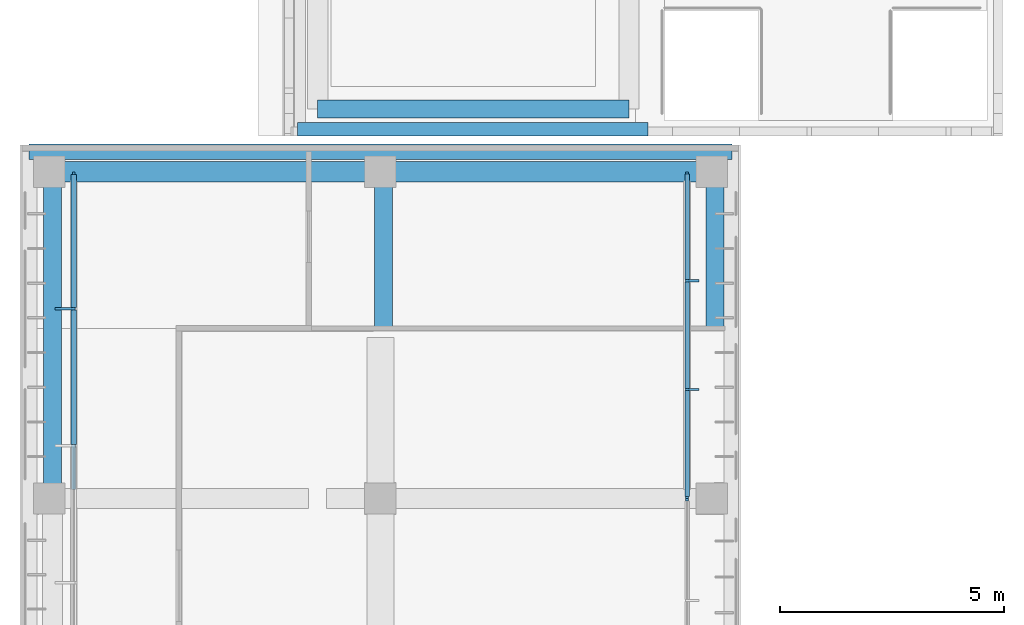
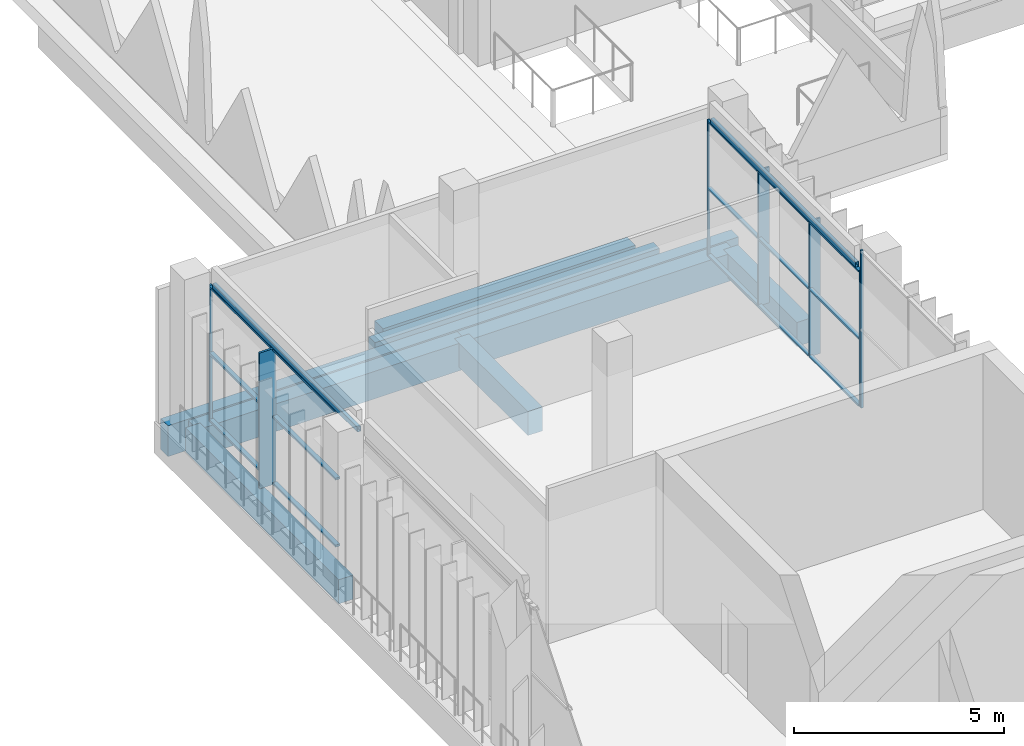
# One storey, part 15 of 46: 22 members, 10 beams, 3 elements without a shape of their own.
"""IFC4 building model written with IfcOpenShell, lengths in metres."""

from ifc_helpers import new_model, si_unit, direction, frame, origin, origin_2d, place, context, subcontext, project, spatial, rectangle, hollow_rectangle, extrude, material, material_profile, profile_set, type_object, element, aggregate, save


model = new_model("IFC4")

# Units and contexts
model_context = context("Model", 3, precision=1e-05, world=origin(), true_north=direction((0.0, 1.0)))
body_context = subcontext(model_context, "Body", "Model", "MODEL_VIEW")
ifc_project = project(units=[si_unit("LENGTHUNIT", "METRE"), si_unit("AREAUNIT", "SQUARE_METRE"), si_unit("VOLUMEUNIT", "CUBIC_METRE"), si_unit("PLANEANGLEUNIT", "RADIAN"), si_unit("MASSUNIT", "GRAM", prefix="KILO")], contexts=[model_context])

# Site, building, storey
site_placement = place(None, origin())
site = spatial("IfcSite", under=ifc_project, at=site_placement, CompositionType="ELEMENT")
building_placement = place(site_placement, origin())
building = spatial("IfcBuilding", under=site, at=building_placement, Name="Lantern Court Media Centre", CompositionType="ELEMENT")
storey_placement = place(building_placement, frame((0.0, 0.0, 28.800048828125)))
storey = spatial("IfcBuildingStorey", under=building, at=storey_placement, Name="L06", CompositionType="ELEMENT", Elevation=28.800048828125)

# Curtain wall, members
ifc_material_1 = material(Name="Curtain wall bay 2400")
curtain_wall_type_1 = type_object("IfcCurtainWallType", Name="Curtain wall bay 2400", PredefinedType="NOTDEFINED", material=ifc_material_1)
curtain_wall_1_placement = place(storey_placement, origin())
curtain_wall_1 = element("IfcCurtainWall", 1, at=curtain_wall_1_placement, inside=storey, type_object=curtain_wall_type_1, Name="Curtain wall W inner L06", PredefinedType="NOTDEFINED")
ifc_material_2 = material(Name="Anodised aluminium", Category="aluminium")
ifc_material_profile_1 = material_profile(ifc_material_2, rectangle(XDim=0.300048828125, YDim=0.050048828125, at=origin_2d()), Name="AL 50x300")
ifc_profile_set_1 = profile_set([ifc_material_profile_1], Name="Anodised aluminium")
member_type_1 = type_object("IfcMemberType", Name="Curtain wall mullion 50x300", PredefinedType="MULLION", material=ifc_profile_set_1)
member_1_placement = place(storey_placement, frame((16.969970703125, 90.433349609375, 0.0), z_axis=(0.0, 0.0, 1.0), x_axis=(-1.0, 0.0, 0.0)))
member_1 = element("IfcMember", 2, at=member_1_placement, type_object=member_type_1, Name="CW2 mullion 2", PredefinedType="MULLION", context=body_context, shape_type="SweptSolid", body=[
    extrude(rectangle(XDim=0.300048828125, YDim=0.050048828125, at=origin_2d()), origin(), (0.0, 0.0, 1.0), 3.949951171875),
])
member_2_placement = place(storey_placement, frame((16.969970703125, 92.86669921875, 0.0), z_axis=(0.0, 0.0, 1.0), x_axis=(-1.0, 0.0, 0.0)))
member_2 = element("IfcMember", 3, at=member_2_placement, type_object=member_type_1, Name="CW2 mullion 3", PredefinedType="MULLION", context=body_context, shape_type="SweptSolid", body=[
    extrude(rectangle(XDim=0.300048828125, YDim=0.050048828125, at=origin_2d()), origin(), (0.0, 0.0, 1.0), 3.949951171875),
])

# Curtain wall, member
curtain_wall_2_placement = place(storey_placement, origin())
curtain_wall_2 = element("IfcCurtainWall", 4, at=curtain_wall_2_placement, inside=storey, type_object=curtain_wall_type_1, Name="Curtain wall W inner L06", PredefinedType="NOTDEFINED")
ifc_material_profile_2 = material_profile(ifc_material_2, rectangle(XDim=0.06005859375, YDim=0.050048828125, at=origin_2d()), Name="AL 50x60")
ifc_profile_set_2 = profile_set([ifc_material_profile_2], Name="Anodised aluminium")
member_type_2 = type_object("IfcMemberType", Name="Curtain wall mullion 50x60", PredefinedType="MULLION", material=ifc_profile_set_2)
member_3_placement = place(storey_placement, frame((16.85009765625, 87.97509765625, 0.0), z_axis=(0.0, 0.0, 1.0), x_axis=(-1.0, 0.0, 0.0)))
member_3 = element("IfcMember", 5, at=member_3_placement, type_object=member_type_2, Name="CW2 mullion 3", PredefinedType="MULLION", context=body_context, shape_type="SweptSolid", body=[
    extrude(rectangle(XDim=0.06005859375, YDim=0.050048828125, at=origin_2d()), origin(), (0.0, 0.0, 1.0), 4.579833984375),
])
aggregate(curtain_wall_2, [member_3])

# Member
member_4_placement = place(storey_placement, frame((16.85009765625, 88.02490234375, 0.0), z_axis=(0.0, 0.0, 1.0), x_axis=(-1.0, 0.0, 0.0)))
member_4 = element("IfcMember", 6, at=member_4_placement, type_object=member_type_2, Name="CW2 mullion 1", PredefinedType="MULLION", context=body_context, shape_type="SweptSolid", body=[
    extrude(rectangle(XDim=0.06005859375, YDim=0.050048828125, at=origin_2d()), origin(), (0.0, 0.0, 1.0), 3.949951171875),
])

member_5_placement = place(storey_placement, frame((16.85009765625, 95.27490234375, 0.0), z_axis=(0.0, 0.0, 1.0), x_axis=(-1.0, 0.0, 0.0)))
member_5 = element("IfcMember", 7, at=member_5_placement, type_object=member_type_2, Name="CW2 mullion 4", PredefinedType="MULLION", context=body_context, shape_type="SweptSolid", body=[
    extrude(rectangle(XDim=0.06005859375, YDim=0.050048828125, at=origin_2d()), origin(), (0.0, 0.0, 1.0), 3.949951171875),
])

# Curtain wall, members
ifc_material_3 = material(Name="Curtain wall bay 3000")
curtain_wall_type_2 = type_object("IfcCurtainWallType", Name="Curtain wall bay 3000", PredefinedType="NOTDEFINED", material=ifc_material_3)
curtain_wall_3_placement = place(storey_placement, origin())
curtain_wall_3 = element("IfcCurtainWall", 8, at=curtain_wall_3_placement, inside=storey, type_object=curtain_wall_type_2, Name="Curtain wall W outer L06", PredefinedType="NOTDEFINED")
ifc_material_profile_3 = material_profile(ifc_material_2, rectangle(XDim=0.449951171875, YDim=0.06005859375, at=origin_2d()), Name="AL 60x450")
ifc_profile_set_3 = profile_set([ifc_material_profile_3], Name="Anodised aluminium")
member_type_3 = type_object("IfcMemberType", Name="Curtain wall mullion 60x450", PredefinedType="MULLION", material=ifc_profile_set_3)
member_6_placement = place(storey_placement, frame((2.955078125, 92.239990234375, 0.0), z_axis=(0.0, 0.0, 1.0), x_axis=(-1.0, 0.0, 0.0)))
member_6 = element("IfcMember", 9, at=member_6_placement, type_object=member_type_3, Name="CW1 mullion 10", PredefinedType="MULLION", context=body_context, shape_type="SweptSolid", body=[
    extrude(rectangle(XDim=0.449951171875, YDim=0.06005859375, at=origin_2d()), origin(), (0.0, 0.0, 1.0), 3.949951171875),
])
ifc_material_profile_4 = material_profile(ifc_material_2, rectangle(XDim=0.06005859375, YDim=0.06005859375, at=origin_2d()), Name="AL 60x60")
ifc_profile_set_4 = profile_set([ifc_material_profile_4], Name="Anodised aluminium")
member_type_4 = type_object("IfcMemberType", Name="Curtain wall mullion 60x60", PredefinedType="MULLION", material=ifc_profile_set_4)
member_7_placement = place(storey_placement, frame((3.14990234375, 95.27001953125, 0.0), z_axis=(0.0, 0.0, 1.0), x_axis=(-1.0, 0.0, 0.0)))
member_7 = element("IfcMember", 10, at=member_7_placement, type_object=member_type_4, Name="CW1 mullion 11", PredefinedType="MULLION", context=body_context, shape_type="SweptSolid", body=[
    extrude(rectangle(XDim=0.06005859375, YDim=0.06005859375, at=origin_2d()), origin(), (0.0, 0.0, 1.0), 3.949951171875),
])

# Member
ifc_material_profile_5 = material_profile(ifc_material_2, rectangle(XDim=0.10009765625, YDim=0.050048828125, at=origin_2d()), Name="AL 50x100")
ifc_profile_set_5 = profile_set([ifc_material_profile_5], Name="Anodised aluminium")
member_type_5 = type_object("IfcMemberType", Name="Curtain wall transom 100x50", PredefinedType="USERDEFINED", material=ifc_profile_set_5)
member_8_placement = place(storey_placement, frame((16.85009765625, 88.050048828125, 0.02490234375), z_axis=(0.0, 1.0, 0.0), x_axis=(-1.0, 0.0, 0.0)))
member_8 = element("IfcMember", 11, at=member_8_placement, type_object=member_type_5, Name="CW2 transom 1.1", ObjectType="TRANSOM", PredefinedType="USERDEFINED", context=body_context, shape_type="SweptSolid", body=[
    extrude(rectangle(XDim=0.10009765625, YDim=0.050048828125, at=origin_2d()), origin(), (0.0, 0.0, 1.0), 2.3583984375),
])

member_9_placement = place(storey_placement, frame((16.85009765625, 88.050048828125, 1.974853515625), z_axis=(0.0, 1.0, 0.0), x_axis=(-1.0, 0.0, 0.0)))
member_9 = element("IfcMember", 12, at=member_9_placement, type_object=member_type_5, Name="CW2 transom 1.2", ObjectType="TRANSOM", PredefinedType="USERDEFINED", context=body_context, shape_type="SweptSolid", body=[
    extrude(rectangle(XDim=0.10009765625, YDim=0.050048828125, at=origin_2d()), origin(), (0.0, 0.0, 1.0), 2.3583984375),
])

member_10_placement = place(storey_placement, frame((16.85009765625, 88.050048828125, 3.925048828125), z_axis=(0.0, 1.0, 0.0), x_axis=(-1.0, 0.0, 0.0)))
member_10 = element("IfcMember", 13, at=member_10_placement, type_object=member_type_5, Name="CW2 transom 1.3", ObjectType="TRANSOM", PredefinedType="USERDEFINED", context=body_context, shape_type="SweptSolid", body=[
    extrude(rectangle(XDim=0.10009765625, YDim=0.050048828125, at=origin_2d()), origin(), (0.0, 0.0, 1.0), 2.3583984375),
])

member_11_placement = place(storey_placement, frame((16.85009765625, 90.458251953125, 0.02490234375), z_axis=(0.0, 1.0, 0.0), x_axis=(-1.0, 0.0, 0.0)))
member_11 = element("IfcMember", 14, at=member_11_placement, type_object=member_type_5, Name="CW2 transom 2.1", ObjectType="TRANSOM", PredefinedType="USERDEFINED", context=body_context, shape_type="SweptSolid", body=[
    extrude(rectangle(XDim=0.10009765625, YDim=0.050048828125, at=origin_2d()), origin(), (0.0, 0.0, 1.0), 2.38330078125),
])

member_12_placement = place(storey_placement, frame((16.85009765625, 90.458251953125, 1.974853515625), z_axis=(0.0, 1.0, 0.0), x_axis=(-1.0, 0.0, 0.0)))
member_12 = element("IfcMember", 15, at=member_12_placement, type_object=member_type_5, Name="CW2 transom 2.2", ObjectType="TRANSOM", PredefinedType="USERDEFINED", context=body_context, shape_type="SweptSolid", body=[
    extrude(rectangle(XDim=0.10009765625, YDim=0.050048828125, at=origin_2d()), origin(), (0.0, 0.0, 1.0), 2.38330078125),
])

member_13_placement = place(storey_placement, frame((16.85009765625, 90.458251953125, 3.925048828125), z_axis=(0.0, 1.0, 0.0), x_axis=(-1.0, 0.0, 0.0)))
member_13 = element("IfcMember", 16, at=member_13_placement, type_object=member_type_5, Name="CW2 transom 2.3", ObjectType="TRANSOM", PredefinedType="USERDEFINED", context=body_context, shape_type="SweptSolid", body=[
    extrude(rectangle(XDim=0.10009765625, YDim=0.050048828125, at=origin_2d()), origin(), (0.0, 0.0, 1.0), 2.38330078125),
])

member_14_placement = place(storey_placement, frame((16.85009765625, 92.8916015625, 0.02490234375), z_axis=(0.0, 1.0, 0.0), x_axis=(-1.0, 0.0, 0.0)))
member_14 = element("IfcMember", 17, at=member_14_placement, type_object=member_type_5, Name="CW2 transom 3.1", ObjectType="TRANSOM", PredefinedType="USERDEFINED", context=body_context, shape_type="SweptSolid", body=[
    extrude(rectangle(XDim=0.10009765625, YDim=0.050048828125, at=origin_2d()), origin(), (0.0, 0.0, 1.0), 2.3583984375),
])

member_15_placement = place(storey_placement, frame((16.85009765625, 92.8916015625, 1.974853515625), z_axis=(0.0, 1.0, 0.0), x_axis=(-1.0, 0.0, 0.0)))
member_15 = element("IfcMember", 18, at=member_15_placement, type_object=member_type_5, Name="CW2 transom 3.2", ObjectType="TRANSOM", PredefinedType="USERDEFINED", context=body_context, shape_type="SweptSolid", body=[
    extrude(rectangle(XDim=0.10009765625, YDim=0.050048828125, at=origin_2d()), origin(), (0.0, 0.0, 1.0), 2.3583984375),
])

member_16_placement = place(storey_placement, frame((16.85009765625, 92.8916015625, 3.925048828125), z_axis=(0.0, 1.0, 0.0), x_axis=(-1.0, 0.0, 0.0)))
member_16 = element("IfcMember", 19, at=member_16_placement, type_object=member_type_5, Name="CW2 transom 3.3", ObjectType="TRANSOM", PredefinedType="USERDEFINED", context=body_context, shape_type="SweptSolid", body=[
    extrude(rectangle(XDim=0.10009765625, YDim=0.050048828125, at=origin_2d()), origin(), (0.0, 0.0, 1.0), 2.3583984375),
])

aggregate(curtain_wall_1, [member_4, member_1, member_2, member_5, member_8, member_9, member_10, member_11, member_12, member_13, member_14, member_15, member_16])

ifc_material_profile_6 = material_profile(ifc_material_2, rectangle(XDim=0.1201171875, YDim=0.06005859375, at=origin_2d()), Name="AL 60x120")
ifc_profile_set_6 = profile_set([ifc_material_profile_6], Name="Anodised aluminium")
member_type_6 = type_object("IfcMemberType", Name="Curtain wall transom 60x120", PredefinedType="USERDEFINED", material=ifc_profile_set_6)
member_17_placement = place(storey_placement, frame((3.14990234375, 89.2099609375, 0.030029296875), z_axis=(0.0, 1.0, 0.0), x_axis=(-1.0, 0.0, 0.0)))
member_17 = element("IfcMember", 20, at=member_17_placement, type_object=member_type_6, Name="CW1 transom 9.1", ObjectType="TRANSOM", PredefinedType="USERDEFINED", context=body_context, shape_type="SweptSolid", body=[
    extrude(rectangle(XDim=0.1201171875, YDim=0.06005859375, at=origin_2d()), origin(), (0.0, 0.0, 1.0), 3.0),
])

member_18_placement = place(storey_placement, frame((3.14990234375, 89.2099609375, 1.974853515625), z_axis=(0.0, 1.0, 0.0), x_axis=(-1.0, 0.0, 0.0)))
member_18 = element("IfcMember", 21, at=member_18_placement, type_object=member_type_6, Name="CW1 transom 9.2", ObjectType="TRANSOM", PredefinedType="USERDEFINED", context=body_context, shape_type="SweptSolid", body=[
    extrude(rectangle(XDim=0.1201171875, YDim=0.06005859375, at=origin_2d()), origin(), (0.0, 0.0, 1.0), 3.0),
])

member_19_placement = place(storey_placement, frame((3.14990234375, 89.2099609375, 3.919921875), z_axis=(0.0, 1.0, 0.0), x_axis=(-1.0, 0.0, 0.0)))
member_19 = element("IfcMember", 22, at=member_19_placement, type_object=member_type_6, Name="CW1 transom 9.3", ObjectType="TRANSOM", PredefinedType="USERDEFINED", context=body_context, shape_type="SweptSolid", body=[
    extrude(rectangle(XDim=0.1201171875, YDim=0.06005859375, at=origin_2d()), origin(), (0.0, 0.0, 1.0), 3.0),
])

member_20_placement = place(storey_placement, frame((3.14990234375, 92.27001953125, 0.030029296875), z_axis=(0.0, 1.0, 0.0), x_axis=(-1.0, 0.0, 0.0)))
member_20 = element("IfcMember", 23, at=member_20_placement, type_object=member_type_6, Name="CW1 transom 10.1", ObjectType="TRANSOM", PredefinedType="USERDEFINED", context=body_context, shape_type="SweptSolid", body=[
    extrude(rectangle(XDim=0.1201171875, YDim=0.06005859375, at=origin_2d()), origin(), (0.0, 0.0, 1.0), 2.969970703125),
])

member_21_placement = place(storey_placement, frame((3.14990234375, 92.27001953125, 1.974853515625), z_axis=(0.0, 1.0, 0.0), x_axis=(-1.0, 0.0, 0.0)))
member_21 = element("IfcMember", 24, at=member_21_placement, type_object=member_type_6, Name="CW1 transom 10.2", ObjectType="TRANSOM", PredefinedType="USERDEFINED", context=body_context, shape_type="SweptSolid", body=[
    extrude(rectangle(XDim=0.1201171875, YDim=0.06005859375, at=origin_2d()), origin(), (0.0, 0.0, 1.0), 2.969970703125),
])

member_22_placement = place(storey_placement, frame((3.14990234375, 92.27001953125, 3.919921875), z_axis=(0.0, 1.0, 0.0), x_axis=(-1.0, 0.0, 0.0)))
member_22 = element("IfcMember", 25, at=member_22_placement, type_object=member_type_6, Name="CW1 transom 10.3", ObjectType="TRANSOM", PredefinedType="USERDEFINED", context=body_context, shape_type="SweptSolid", body=[
    extrude(rectangle(XDim=0.1201171875, YDim=0.06005859375, at=origin_2d()), origin(), (0.0, 0.0, 1.0), 2.969970703125),
])

aggregate(curtain_wall_3, [member_6, member_7, member_17, member_18, member_19, member_20, member_21, member_22])

# Beams
ifc_material_4 = material(Name="Steel S355J2 (EN 10025-2)", Category="steel")
ifc_material_profile_7 = material_profile(ifc_material_4, hollow_rectangle(XDim=0.10009765625, YDim=0.14990234375, WallThickness=0.00634765625, InnerFilletRadius=0.00634765625, OuterFilletRadius=0.009521484375, at=origin_2d()), Name="Facade head lintel RHS 150x100x6.3")
ifc_profile_set_7 = profile_set([ifc_material_profile_7], Name="Steel S355J2 (EN 10025-2)")
beam_type_1 = type_object("IfcBeamType", Name="Facade head lintel RHS 150x100x6.3", PredefinedType="BEAM", material=ifc_profile_set_7)
for number, where, z_axis, x_axis, name in (
    (26, (3.14990234375, 88.199951171875, 4.02490234375), (0.0, 1.0, 0.0), (-1.0, 0.0, 0.0), "Facade head lintel W L06"),
    (27, (16.85009765625, 88.199951171875, 4.02490234375), (0.0, 1.0, 0.0), (-1.0, 0.0, 0.0), "Facade head lintel W L06"),
):
    element("IfcBeam", number, at=place(storey_placement, frame(where, z_axis=z_axis, x_axis=x_axis)), inside=storey, type_object=beam_type_1, Name=name, PredefinedType="BEAM", context=body_context, shape_type="SweptSolid", body=[
        extrude(hollow_rectangle(XDim=0.10009765625, YDim=0.14990234375, WallThickness=0.00634765625, InnerFilletRadius=0.00634765625, OuterFilletRadius=0.009521484375, at=origin_2d()), origin(), (0.0, 0.0, 1.0), 6.900146484375),
    ])
ifc_material_5 = material(Name="Concrete C35", Category="concrete")
ifc_material_profile_8 = material_profile(ifc_material_5, rectangle(XDim=0.300048828125, YDim=0.89990234375, at=origin_2d()), Name="RC 300x900")
ifc_profile_set_8 = profile_set([ifc_material_profile_8], Name="Concrete C35")
beam_type_2 = type_object("IfcBeamType", Name="RC BEAM 300x900", PredefinedType="BEAM", material=ifc_profile_set_8)
beam_1_placement = place(storey_placement, frame((8.14990234375, 96.25, -0.449951171875), z_axis=(1.0, 0.0, 0.0), x_axis=(0.0, 1.0, 0.0)))
element("IfcBeam", 28, at=beam_1_placement, inside=storey, type_object=beam_type_2, Name="EB-NW-L06-S", PredefinedType="BEAM", context=body_context, shape_type="SweptSolid", body=[
    extrude(rectangle(XDim=0.300048828125, YDim=0.89990234375, at=origin_2d()), origin(), (0.0, 0.0, 1.0), 7.830078125),
])
ifc_material_profile_9 = material_profile(ifc_material_5, rectangle(XDim=0.35009765625, YDim=0.89990234375, at=origin_2d()), Name="RC 350x900")
ifc_profile_set_9 = profile_set([ifc_material_profile_9], Name="Concrete C35")
beam_type_3 = type_object("IfcBeamType", Name="RC BEAM 350x900", PredefinedType="BEAM", material=ifc_profile_set_9)
beam_2_placement = place(storey_placement, frame((2.14990234375, 95.75, -0.449951171875), z_axis=(1.0, 0.0, 0.0), x_axis=(0.0, 1.0, 0.0)))
element("IfcBeam", 29, at=beam_2_placement, inside=storey, type_object=beam_type_3, Name="EB-W-L06-D", PredefinedType="BEAM", context=body_context, shape_type="SweptSolid", body=[
    extrude(rectangle(XDim=0.35009765625, YDim=0.89990234375, at=origin_2d()), origin(), (0.0, 0.0, 1.0), 15.7001953125),
])
ifc_material_profile_10 = material_profile(ifc_material_5, rectangle(XDim=0.39990234375, YDim=0.699951171875, at=origin_2d()), Name="RC 400x700")
ifc_profile_set_10 = profile_set([ifc_material_profile_10], Name="Concrete C35")
beam_type_4 = type_object("IfcBeamType", Name="RC BEAM 400x700", PredefinedType="BEAM", material=ifc_profile_set_10)
beam_3_placement = place(storey_placement, frame((2.6728515625, 88.0, -0.35009765625), z_axis=(0.0, 1.0, 0.0), x_axis=(-1.0, 0.0, 0.0)))
element("IfcBeam", 30, at=beam_3_placement, inside=storey, type_object=beam_type_4, Name="LB-W-L06-0-3", PredefinedType="BEAM", context=body_context, shape_type="SweptSolid", body=[
    extrude(rectangle(XDim=0.39990234375, YDim=0.699951171875, at=origin_2d()), origin(), (0.0, 0.0, 1.0), 7.300048828125),
])
for number, where, z_axis, x_axis, name in (
    (31, (10.072998046875, 91.800048828125, -0.35009765625), (0.0, 1.0, 0.0), (-1.0, 0.0, 0.0), "LB-W-L06-1-03"),
    (32, (17.472900390625, 91.800048828125, -0.35009765625), (0.0, 1.0, 0.0), (-1.0, 0.0, 0.0), "LB-W-L06-2-3"),
):
    element("IfcBeam", number, at=place(storey_placement, frame(where, z_axis=z_axis, x_axis=x_axis)), inside=storey, type_object=beam_type_4, Name=name, PredefinedType="BEAM", context=body_context, shape_type="SweptSolid", body=[
        extrude(rectangle(XDim=0.39990234375, YDim=0.699951171875, at=origin_2d()), origin(), (0.0, 0.0, 1.0), 3.5),
    ])
ifc_material_profile_11 = material_profile(ifc_material_5, rectangle(XDim=0.39990234375, YDim=0.800048828125, at=origin_2d()), Name="RC 400x800")
ifc_profile_set_11 = profile_set([ifc_material_profile_11], Name="Concrete C35")
beam_type_5 = type_object("IfcBeamType", Name="RC BEAM 400x800", PredefinedType="BEAM", material=ifc_profile_set_11)
beam_4_placement = place(storey_placement, frame((8.60009765625, 96.699951171875, -0.400146484375), z_axis=(1.0, 0.0, 0.0), x_axis=(0.0, 1.0, 0.0)))
element("IfcBeam", 33, at=beam_4_placement, inside=storey, type_object=beam_type_5, Name="BB-NW-L06-Y0-96", PredefinedType="BEAM", context=body_context, shape_type="SweptSolid", body=[
    extrude(rectangle(XDim=0.39990234375, YDim=0.800048828125, at=origin_2d()), origin(), (0.0, 0.0, 1.0), 6.949951171875),
])
ifc_material_profile_12 = material_profile(ifc_material_5, rectangle(XDim=0.449951171875, YDim=0.800048828125, at=origin_2d()), Name="RC 450x800")
ifc_profile_set_12 = profile_set([ifc_material_profile_12], Name="Concrete C35")
beam_type_6 = type_object("IfcBeamType", Name="RC BEAM 450x800", PredefinedType="BEAM", material=ifc_profile_set_12)
beam_5_placement = place(storey_placement, frame((2.683349609375, 95.300048828125, -0.400146484375), z_axis=(1.0, 0.0, 0.0), x_axis=(0.0, 1.0, 0.0)))
element("IfcBeam", 34, at=beam_5_placement, inside=storey, type_object=beam_type_6, Name="TB-W-L06-4-1", PredefinedType="BEAM", context=body_context, shape_type="SweptSolid", body=[
    extrude(rectangle(XDim=0.449951171875, YDim=0.800048828125, at=origin_2d()), origin(), (0.0, 0.0, 1.0), 7.39990234375),
])
beam_6_placement = place(storey_placement, frame((10.083251953125, 95.300048828125, -0.400146484375), z_axis=(1.0, 0.0, 0.0), x_axis=(0.0, 1.0, 0.0)))
element("IfcBeam", 35, at=beam_6_placement, inside=storey, type_object=beam_type_6, Name="TB-W-L06-4-2", PredefinedType="BEAM", context=body_context, shape_type="SweptSolid", body=[
    extrude(rectangle(XDim=0.449951171875, YDim=0.800048828125, at=origin_2d()), origin(), (0.0, 0.0, 1.0), 7.400146484375),
])

save(model, "model.ifc")
